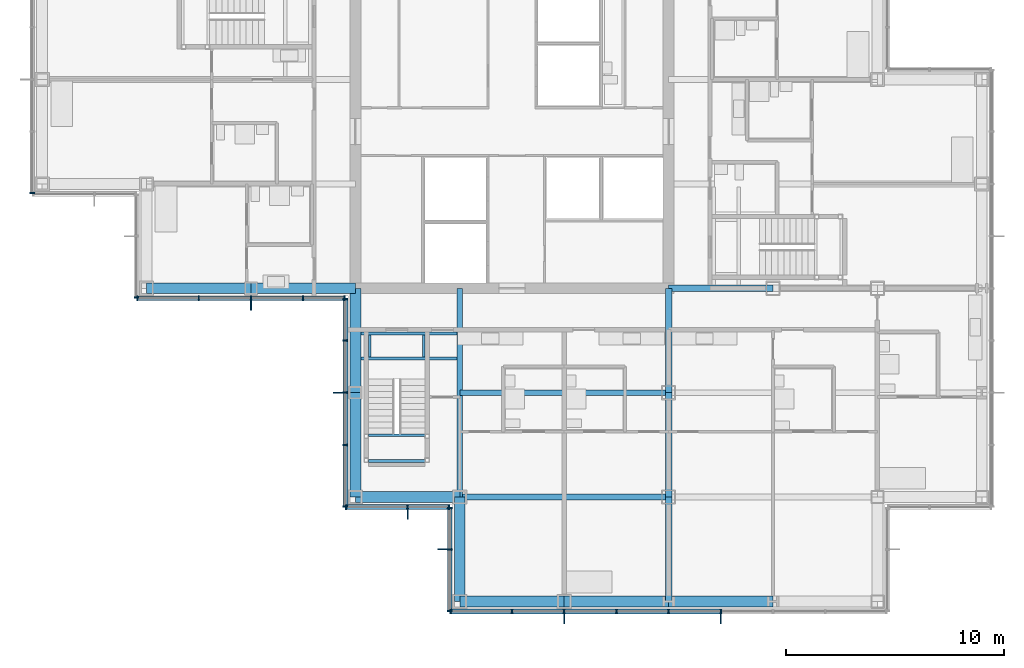
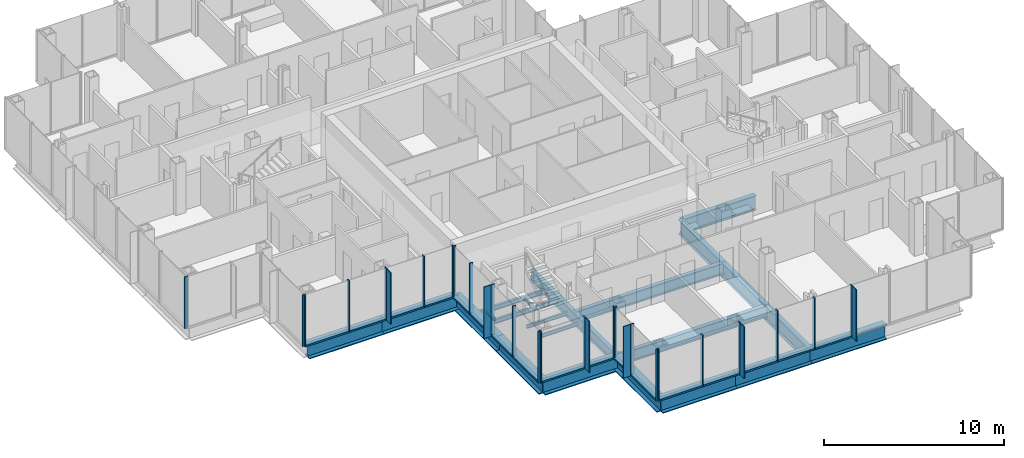
# One storey, part 6 of 19: 47 members, 22 beams, 7 elements without a shape of their own.
"""IFC4 building model written with IfcOpenShell, lengths in metres."""

from ifc_helpers import new_model, si_unit, direction, frame, origin, origin_2d, place, context, subcontext, project, spatial, rectangle, i_section, extrude, material, material_profile, profile_set, type_object, element, aggregate, save


model = new_model("IFC4")

# Units and contexts
model_context = context("Model", 3, precision=1e-05, world=origin(), true_north=direction((0.0, 1.0)))
body_context = subcontext(model_context, "Body", "Model", "MODEL_VIEW")
ifc_project = project(units=[si_unit("LENGTHUNIT", "METRE"), si_unit("AREAUNIT", "SQUARE_METRE"), si_unit("VOLUMEUNIT", "CUBIC_METRE"), si_unit("PLANEANGLEUNIT", "RADIAN"), si_unit("MASSUNIT", "GRAM", prefix="KILO")], contexts=[model_context])

# Site, building, storey
site_placement = place(None, origin())
site = spatial("IfcSite", under=ifc_project, at=site_placement, CompositionType="ELEMENT")
building_placement = place(site_placement, origin())
building = spatial("IfcBuilding", under=site, at=building_placement, Name="Kvirike Care Tower", CompositionType="ELEMENT")
storey_placement = place(building_placement, frame((0.0, 0.0, 98.0)))
storey = spatial("IfcBuildingStorey", under=building, at=storey_placement, Name="L26", CompositionType="ELEMENT", Elevation=98.0)

# Curtain wall, member
ifc_material_1 = material(Name="Anodised aluminium stick system", Category="aluminium")
curtain_wall_type = type_object("IfcCurtainWallType", Name="CW-B STICK CURTAIN WALL", PredefinedType="NOTDEFINED", material=ifc_material_1)
curtain_wall_1_placement = place(storey_placement, origin())
curtain_wall_1 = element("IfcCurtainWall", 1, at=curtain_wall_1_placement, inside=storey, type_object=curtain_wall_type, Name="Curtain wall L26 face 14", PredefinedType="NOTDEFINED")
ifc_material_2 = material(Name="Bronze anodised aluminium fin", Category="aluminium")
ifc_material_profile_1 = material_profile(ifc_material_2, rectangle(XDim=0.050048828125, YDim=0.449951171875, at=origin_2d()), Name="BRONZE FIN 450")
ifc_profile_set_1 = profile_set([ifc_material_profile_1], Name="Bronze anodised aluminium fin")
member_type_1 = type_object("IfcMemberType", Name="BRONZE FIN 450", PredefinedType="USERDEFINED", material=ifc_profile_set_1)
member_1_placement = place(storey_placement, frame((9.60009765625, 28.0048828125, 0.0), z_axis=(0.0, 0.0, 1.0), x_axis=(1.0, 0.0, 0.0)))
member_1 = element("IfcMember", 2, at=member_1_placement, type_object=member_type_1, Name="Bronze fin L26 face 14.3", ObjectType="FIN", PredefinedType="USERDEFINED", context=body_context, shape_type="SweptSolid", body=[
    extrude(rectangle(XDim=0.050048828125, YDim=0.449951171875, at=origin_2d()), origin(), (0.0, 0.0, 1.0), 3.5),
])

curtain_wall_2_placement = place(storey_placement, origin())
curtain_wall_2 = element("IfcCurtainWall", 3, at=curtain_wall_2_placement, inside=storey, type_object=curtain_wall_type, Name="Curtain wall L26 face 15", PredefinedType="NOTDEFINED")
member_2_placement = place(storey_placement, frame((13.60498046875, 24.0, 0.0), z_axis=(0.0, 0.0, 1.0), x_axis=(0.0, -1.0, 0.0)))
member_2 = element("IfcMember", 4, at=member_2_placement, type_object=member_type_1, Name="Bronze fin L26 face 15.3", ObjectType="FIN", PredefinedType="USERDEFINED", context=body_context, shape_type="SweptSolid", body=[
    extrude(rectangle(XDim=0.050048828125, YDim=0.449951171875, at=origin_2d()), origin(), (0.0, 0.0, 1.0), 3.5),
])

curtain_wall_3_placement = place(storey_placement, origin())
curtain_wall_3 = element("IfcCurtainWall", 5, at=curtain_wall_3_placement, inside=storey, type_object=curtain_wall_type, Name="Curtain wall L26 face 16", PredefinedType="NOTDEFINED")
member_3_placement = place(storey_placement, frame((16.800048828125, 18.405029296875, 0.0), z_axis=(0.0, 0.0, 1.0), x_axis=(1.0, 0.0, 0.0)))
member_3 = element("IfcMember", 6, at=member_3_placement, type_object=member_type_1, Name="Bronze fin L26 face 16.2", ObjectType="FIN", PredefinedType="USERDEFINED", context=body_context, shape_type="SweptSolid", body=[
    extrude(rectangle(XDim=0.050048828125, YDim=0.449951171875, at=origin_2d()), origin(), (0.0, 0.0, 1.0), 3.5),
])

curtain_wall_4_placement = place(storey_placement, origin())
curtain_wall_4 = element("IfcCurtainWall", 7, at=curtain_wall_4_placement, inside=storey, type_object=curtain_wall_type, Name="Curtain wall L26 face 17", PredefinedType="NOTDEFINED")
member_4_placement = place(storey_placement, frame((18.405029296875, 16.800048828125, 0.0), z_axis=(0.0, 0.0, 1.0), x_axis=(0.0, -1.0, 0.0)))
member_4 = element("IfcMember", 8, at=member_4_placement, type_object=member_type_1, Name="Bronze fin L26 face 17.2", ObjectType="FIN", PredefinedType="USERDEFINED", context=body_context, shape_type="SweptSolid", body=[
    extrude(rectangle(XDim=0.050048828125, YDim=0.449951171875, at=origin_2d()), origin(), (0.0, 0.0, 1.0), 3.5),
])

# Curtain wall, members
curtain_wall_5_placement = place(storey_placement, origin())
curtain_wall_5 = element("IfcCurtainWall", 9, at=curtain_wall_5_placement, inside=storey, type_object=curtain_wall_type, Name="Curtain wall L26 face 18", PredefinedType="NOTDEFINED")
member_5_placement = place(storey_placement, frame((24.0, 13.60498046875, 0.0), z_axis=(0.0, 0.0, 1.0), x_axis=(1.0, 0.0, 0.0)))
member_5 = element("IfcMember", 10, at=member_5_placement, type_object=member_type_1, Name="Bronze fin L26 face 18.3", ObjectType="FIN", PredefinedType="USERDEFINED", context=body_context, shape_type="SweptSolid", body=[
    extrude(rectangle(XDim=0.050048828125, YDim=0.449951171875, at=origin_2d()), origin(), (0.0, 0.0, 1.0), 3.5),
])
member_6_placement = place(storey_placement, frame((31.199951171875, 13.60498046875, 0.0), z_axis=(0.0, 0.0, 1.0), x_axis=(1.0, 0.0, 0.0)))
member_6 = element("IfcMember", 11, at=member_6_placement, type_object=member_type_1, Name="Bronze fin L26 face 18.6", ObjectType="FIN", PredefinedType="USERDEFINED", context=body_context, shape_type="SweptSolid", body=[
    extrude(rectangle(XDim=0.050048828125, YDim=0.449951171875, at=origin_2d()), origin(), (0.0, 0.0, 1.0), 3.5),
])

# Curtain wall, member
curtain_wall_6_placement = place(storey_placement, origin())
curtain_wall_6 = element("IfcCurtainWall", 12, at=curtain_wall_6_placement, inside=storey, type_object=curtain_wall_type, Name="Curtain wall L26 face 11", PredefinedType="NOTDEFINED")
ifc_material_3 = material(Name="Bronze anodised aluminium mullion", Category="aluminium")
ifc_material_profile_2 = material_profile(ifc_material_3, rectangle(XDim=0.06494140625, YDim=0.219970703125, at=origin_2d()), Name="CW-B MULLION 65x220")
ifc_profile_set_2 = profile_set([ifc_material_profile_2], Name="Bronze anodised aluminium mullion")
member_type_2 = type_object("IfcMemberType", Name="CW-B MULLION 65x220", PredefinedType="MULLION", material=ifc_profile_set_2)
member_7_placement = place(storey_placement, frame((-0.4599609375, 33.172607421875, 0.0), z_axis=(0.0, 0.0, 1.0), x_axis=(0.0, -1.0, 0.0)))
member_7 = element("IfcMember", 13, at=member_7_placement, type_object=member_type_2, Name="CW-B mullion L26 face 11.9", PredefinedType="MULLION", context=body_context, shape_type="SweptSolid", body=[
    extrude(rectangle(XDim=0.06494140625, YDim=0.219970703125, at=origin_2d()), origin(), (0.0, 0.0, 1.0), 3.5),
])
aggregate(curtain_wall_6, [member_7])

curtain_wall_7_placement = place(storey_placement, origin())
curtain_wall_7 = element("IfcCurtainWall", 14, at=curtain_wall_7_placement, inside=storey, type_object=curtain_wall_type, Name="Curtain wall L26 face 13", PredefinedType="NOTDEFINED")
member_8_placement = place(storey_placement, frame((4.340087890625, 28.37255859375, 0.0), z_axis=(0.0, 0.0, 1.0), x_axis=(0.0, -1.0, 0.0)))
member_8 = element("IfcMember", 15, at=member_8_placement, type_object=member_type_2, Name="CW-B mullion L26 face 13.3", PredefinedType="MULLION", context=body_context, shape_type="SweptSolid", body=[
    extrude(rectangle(XDim=0.06494140625, YDim=0.219970703125, at=origin_2d()), origin(), (0.0, 0.0, 1.0), 3.5),
])
aggregate(curtain_wall_7, [member_8])

# Member
member_9_placement = place(storey_placement, frame((4.37255859375, 28.340087890625, 0.0), z_axis=(0.0, 0.0, 1.0), x_axis=(1.0, 0.0, 0.0)))
member_9 = element("IfcMember", 16, at=member_9_placement, type_object=member_type_2, Name="CW-B mullion L26 face 14.1", PredefinedType="MULLION", context=body_context, shape_type="SweptSolid", body=[
    extrude(rectangle(XDim=0.06494140625, YDim=0.219970703125, at=origin_2d()), origin(), (0.0, 0.0, 1.0), 3.5),
])

member_10_placement = place(storey_placement, frame((7.199951171875, 28.340087890625, 0.0), z_axis=(0.0, 0.0, 1.0), x_axis=(1.0, 0.0, 0.0)))
member_10 = element("IfcMember", 17, at=member_10_placement, type_object=member_type_2, Name="CW-B mullion L26 face 14.2", PredefinedType="MULLION", context=body_context, shape_type="SweptSolid", body=[
    extrude(rectangle(XDim=0.06494140625, YDim=0.219970703125, at=origin_2d()), origin(), (0.0, 0.0, 1.0), 3.5),
])

member_11_placement = place(storey_placement, frame((9.60009765625, 28.340087890625, 0.0), z_axis=(0.0, 0.0, 1.0), x_axis=(1.0, 0.0, 0.0)))
member_11 = element("IfcMember", 18, at=member_11_placement, type_object=member_type_2, Name="CW-B mullion L26 face 14.3", PredefinedType="MULLION", context=body_context, shape_type="SweptSolid", body=[
    extrude(rectangle(XDim=0.06494140625, YDim=0.219970703125, at=origin_2d()), origin(), (0.0, 0.0, 1.0), 3.5),
])

member_12_placement = place(storey_placement, frame((12.0, 28.340087890625, 0.0), z_axis=(0.0, 0.0, 1.0), x_axis=(1.0, 0.0, 0.0)))
member_12 = element("IfcMember", 19, at=member_12_placement, type_object=member_type_2, Name="CW-B mullion L26 face 14.4", PredefinedType="MULLION", context=body_context, shape_type="SweptSolid", body=[
    extrude(rectangle(XDim=0.06494140625, YDim=0.219970703125, at=origin_2d()), origin(), (0.0, 0.0, 1.0), 3.5),
])

member_13_placement = place(storey_placement, frame((13.907470703125, 28.340087890625, 0.0), z_axis=(0.0, 0.0, 1.0), x_axis=(1.0, 0.0, 0.0)))
member_13 = element("IfcMember", 20, at=member_13_placement, type_object=member_type_2, Name="CW-B mullion L26 face 14.5", PredefinedType="MULLION", context=body_context, shape_type="SweptSolid", body=[
    extrude(rectangle(XDim=0.06494140625, YDim=0.219970703125, at=origin_2d()), origin(), (0.0, 0.0, 1.0), 3.5),
])

member_14_placement = place(storey_placement, frame((13.93994140625, 28.3076171875, 0.0), z_axis=(0.0, 0.0, 1.0), x_axis=(0.0, -1.0, 0.0)))
member_14 = element("IfcMember", 21, at=member_14_placement, type_object=member_type_2, Name="CW-B mullion L26 face 15.1", PredefinedType="MULLION", context=body_context, shape_type="SweptSolid", body=[
    extrude(rectangle(XDim=0.06494140625, YDim=0.219970703125, at=origin_2d()), origin(), (0.0, 0.0, 1.0), 3.5),
])

member_15_placement = place(storey_placement, frame((13.93994140625, 26.39990234375, 0.0), z_axis=(0.0, 0.0, 1.0), x_axis=(0.0, -1.0, 0.0)))
member_15 = element("IfcMember", 22, at=member_15_placement, type_object=member_type_2, Name="CW-B mullion L26 face 15.2", PredefinedType="MULLION", context=body_context, shape_type="SweptSolid", body=[
    extrude(rectangle(XDim=0.06494140625, YDim=0.219970703125, at=origin_2d()), origin(), (0.0, 0.0, 1.0), 3.5),
])

member_16_placement = place(storey_placement, frame((13.93994140625, 24.0, 0.0), z_axis=(0.0, 0.0, 1.0), x_axis=(0.0, -1.0, 0.0)))
member_16 = element("IfcMember", 23, at=member_16_placement, type_object=member_type_2, Name="CW-B mullion L26 face 15.3", PredefinedType="MULLION", context=body_context, shape_type="SweptSolid", body=[
    extrude(rectangle(XDim=0.06494140625, YDim=0.219970703125, at=origin_2d()), origin(), (0.0, 0.0, 1.0), 3.5),
])

member_17_placement = place(storey_placement, frame((13.93994140625, 21.60009765625, 0.0), z_axis=(0.0, 0.0, 1.0), x_axis=(0.0, -1.0, 0.0)))
member_17 = element("IfcMember", 24, at=member_17_placement, type_object=member_type_2, Name="CW-B mullion L26 face 15.4", PredefinedType="MULLION", context=body_context, shape_type="SweptSolid", body=[
    extrude(rectangle(XDim=0.06494140625, YDim=0.219970703125, at=origin_2d()), origin(), (0.0, 0.0, 1.0), 3.5),
])

member_18_placement = place(storey_placement, frame((13.93994140625, 18.7724609375, 0.0), z_axis=(0.0, 0.0, 1.0), x_axis=(0.0, -1.0, 0.0)))
member_18 = element("IfcMember", 25, at=member_18_placement, type_object=member_type_2, Name="CW-B mullion L26 face 15.5", PredefinedType="MULLION", context=body_context, shape_type="SweptSolid", body=[
    extrude(rectangle(XDim=0.06494140625, YDim=0.219970703125, at=origin_2d()), origin(), (0.0, 0.0, 1.0), 3.5),
])

member_19_placement = place(storey_placement, frame((13.972412109375, 18.739990234375, 0.0), z_axis=(0.0, 0.0, 1.0), x_axis=(1.0, 0.0, 0.0)))
member_19 = element("IfcMember", 26, at=member_19_placement, type_object=member_type_2, Name="CW-B mullion L26 face 16.1", PredefinedType="MULLION", context=body_context, shape_type="SweptSolid", body=[
    extrude(rectangle(XDim=0.06494140625, YDim=0.219970703125, at=origin_2d()), origin(), (0.0, 0.0, 1.0), 3.5),
])

member_20_placement = place(storey_placement, frame((16.800048828125, 18.739990234375, 0.0), z_axis=(0.0, 0.0, 1.0), x_axis=(1.0, 0.0, 0.0)))
member_20 = element("IfcMember", 27, at=member_20_placement, type_object=member_type_2, Name="CW-B mullion L26 face 16.2", PredefinedType="MULLION", context=body_context, shape_type="SweptSolid", body=[
    extrude(rectangle(XDim=0.06494140625, YDim=0.219970703125, at=origin_2d()), origin(), (0.0, 0.0, 1.0), 3.5),
])

member_21_placement = place(storey_placement, frame((18.70751953125, 18.739990234375, 0.0), z_axis=(0.0, 0.0, 1.0), x_axis=(1.0, 0.0, 0.0)))
member_21 = element("IfcMember", 28, at=member_21_placement, type_object=member_type_2, Name="CW-B mullion L26 face 16.3", PredefinedType="MULLION", context=body_context, shape_type="SweptSolid", body=[
    extrude(rectangle(XDim=0.06494140625, YDim=0.219970703125, at=origin_2d()), origin(), (0.0, 0.0, 1.0), 3.5),
])

member_22_placement = place(storey_placement, frame((18.739990234375, 18.70751953125, 0.0), z_axis=(0.0, 0.0, 1.0), x_axis=(0.0, -1.0, 0.0)))
member_22 = element("IfcMember", 29, at=member_22_placement, type_object=member_type_2, Name="CW-B mullion L26 face 17.1", PredefinedType="MULLION", context=body_context, shape_type="SweptSolid", body=[
    extrude(rectangle(XDim=0.06494140625, YDim=0.219970703125, at=origin_2d()), origin(), (0.0, 0.0, 1.0), 3.5),
])

member_23_placement = place(storey_placement, frame((18.739990234375, 16.800048828125, 0.0), z_axis=(0.0, 0.0, 1.0), x_axis=(0.0, -1.0, 0.0)))
member_23 = element("IfcMember", 30, at=member_23_placement, type_object=member_type_2, Name="CW-B mullion L26 face 17.2", PredefinedType="MULLION", context=body_context, shape_type="SweptSolid", body=[
    extrude(rectangle(XDim=0.06494140625, YDim=0.219970703125, at=origin_2d()), origin(), (0.0, 0.0, 1.0), 3.5),
])

member_24_placement = place(storey_placement, frame((18.739990234375, 13.972412109375, 0.0), z_axis=(0.0, 0.0, 1.0), x_axis=(0.0, -1.0, 0.0)))
member_24 = element("IfcMember", 31, at=member_24_placement, type_object=member_type_2, Name="CW-B mullion L26 face 17.3", PredefinedType="MULLION", context=body_context, shape_type="SweptSolid", body=[
    extrude(rectangle(XDim=0.06494140625, YDim=0.219970703125, at=origin_2d()), origin(), (0.0, 0.0, 1.0), 3.5),
])

member_25_placement = place(storey_placement, frame((18.7724609375, 13.93994140625, 0.0), z_axis=(0.0, 0.0, 1.0), x_axis=(1.0, 0.0, 0.0)))
member_25 = element("IfcMember", 32, at=member_25_placement, type_object=member_type_2, Name="CW-B mullion L26 face 18.1", PredefinedType="MULLION", context=body_context, shape_type="SweptSolid", body=[
    extrude(rectangle(XDim=0.06494140625, YDim=0.219970703125, at=origin_2d()), origin(), (0.0, 0.0, 1.0), 3.5),
])

member_26_placement = place(storey_placement, frame((21.60009765625, 13.93994140625, 0.0), z_axis=(0.0, 0.0, 1.0), x_axis=(1.0, 0.0, 0.0)))
member_26 = element("IfcMember", 33, at=member_26_placement, type_object=member_type_2, Name="CW-B mullion L26 face 18.2", PredefinedType="MULLION", context=body_context, shape_type="SweptSolid", body=[
    extrude(rectangle(XDim=0.06494140625, YDim=0.219970703125, at=origin_2d()), origin(), (0.0, 0.0, 1.0), 3.5),
])

member_27_placement = place(storey_placement, frame((24.0, 13.93994140625, 0.0), z_axis=(0.0, 0.0, 1.0), x_axis=(1.0, 0.0, 0.0)))
member_27 = element("IfcMember", 34, at=member_27_placement, type_object=member_type_2, Name="CW-B mullion L26 face 18.3", PredefinedType="MULLION", context=body_context, shape_type="SweptSolid", body=[
    extrude(rectangle(XDim=0.06494140625, YDim=0.219970703125, at=origin_2d()), origin(), (0.0, 0.0, 1.0), 3.5),
])

member_28_placement = place(storey_placement, frame((26.39990234375, 13.93994140625, 0.0), z_axis=(0.0, 0.0, 1.0), x_axis=(1.0, 0.0, 0.0)))
member_28 = element("IfcMember", 35, at=member_28_placement, type_object=member_type_2, Name="CW-B mullion L26 face 18.4", PredefinedType="MULLION", context=body_context, shape_type="SweptSolid", body=[
    extrude(rectangle(XDim=0.06494140625, YDim=0.219970703125, at=origin_2d()), origin(), (0.0, 0.0, 1.0), 3.5),
])

member_29_placement = place(storey_placement, frame((28.800048828125, 13.93994140625, 0.0), z_axis=(0.0, 0.0, 1.0), x_axis=(1.0, 0.0, 0.0)))
member_29 = element("IfcMember", 36, at=member_29_placement, type_object=member_type_2, Name="CW-B mullion L26 face 18.5", PredefinedType="MULLION", context=body_context, shape_type="SweptSolid", body=[
    extrude(rectangle(XDim=0.06494140625, YDim=0.219970703125, at=origin_2d()), origin(), (0.0, 0.0, 1.0), 3.5),
])

member_30_placement = place(storey_placement, frame((31.199951171875, 13.93994140625, 0.0), z_axis=(0.0, 0.0, 1.0), x_axis=(1.0, 0.0, 0.0)))
member_30 = element("IfcMember", 37, at=member_30_placement, type_object=member_type_2, Name="CW-B mullion L26 face 18.6", PredefinedType="MULLION", context=body_context, shape_type="SweptSolid", body=[
    extrude(rectangle(XDim=0.06494140625, YDim=0.219970703125, at=origin_2d()), origin(), (0.0, 0.0, 1.0), 3.5),
])

ifc_material_4 = material(Name="Bronze anodised aluminium transom", Category="aluminium")
ifc_material_profile_3 = material_profile(ifc_material_4, rectangle(XDim=0.219970703125, YDim=0.10009765625, at=origin_2d()), Name="CW-B TRANSOM 220x100")
ifc_profile_set_3 = profile_set([ifc_material_profile_3], Name="Bronze anodised aluminium transom")
member_type_3 = type_object("IfcMemberType", Name="CW-B TRANSOM 220x100", PredefinedType="USERDEFINED", material=ifc_profile_set_3)
member_31_placement = place(storey_placement, frame((4.405029296875, 28.340087890625, 0.050048828125), z_axis=(1.0, 0.0, 0.0), x_axis=(0.0, 1.0, 0.0)))
member_31 = element("IfcMember", 38, at=member_31_placement, type_object=member_type_3, Name="CW-B sill transom L26 face 14.1", ObjectType="TRANSOM", PredefinedType="USERDEFINED", context=body_context, shape_type="SweptSolid", body=[
    extrude(rectangle(XDim=0.219970703125, YDim=0.10009765625, at=origin_2d()), origin(), (0.0, 0.0, 1.0), 2.762451171875),
])

member_32_placement = place(storey_placement, frame((7.232421875, 28.340087890625, 0.050048828125), z_axis=(1.0, 0.0, 0.0), x_axis=(0.0, 1.0, 0.0)))
member_32 = element("IfcMember", 39, at=member_32_placement, type_object=member_type_3, Name="CW-B sill transom L26 face 14.2", ObjectType="TRANSOM", PredefinedType="USERDEFINED", context=body_context, shape_type="SweptSolid", body=[
    extrude(rectangle(XDim=0.219970703125, YDim=0.10009765625, at=origin_2d()), origin(), (0.0, 0.0, 1.0), 2.3349609375),
])

member_33_placement = place(storey_placement, frame((9.632568359375, 28.340087890625, 0.050048828125), z_axis=(1.0, 0.0, 0.0), x_axis=(0.0, 1.0, 0.0)))
member_33 = element("IfcMember", 40, at=member_33_placement, type_object=member_type_3, Name="CW-B sill transom L26 face 14.3", ObjectType="TRANSOM", PredefinedType="USERDEFINED", context=body_context, shape_type="SweptSolid", body=[
    extrude(rectangle(XDim=0.219970703125, YDim=0.10009765625, at=origin_2d()), origin(), (0.0, 0.0, 1.0), 2.3349609375),
])

member_34_placement = place(storey_placement, frame((12.032470703125, 28.340087890625, 0.050048828125), z_axis=(1.0, 0.0, 0.0), x_axis=(0.0, 1.0, 0.0)))
member_34 = element("IfcMember", 41, at=member_34_placement, type_object=member_type_3, Name="CW-B sill transom L26 face 14.4", ObjectType="TRANSOM", PredefinedType="USERDEFINED", context=body_context, shape_type="SweptSolid", body=[
    extrude(rectangle(XDim=0.219970703125, YDim=0.10009765625, at=origin_2d()), origin(), (0.0, 0.0, 1.0), 1.842529296875),
])

aggregate(curtain_wall_1, [member_9, member_10, member_11, member_1, member_12, member_13, member_31, member_32, member_33, member_34])

member_35_placement = place(storey_placement, frame((13.93994140625, 28.27490234375, 0.050048828125), z_axis=(0.0, -1.0, 0.0), x_axis=(1.0, 0.0, 0.0)))
member_35 = element("IfcMember", 42, at=member_35_placement, type_object=member_type_3, Name="CW-B sill transom L26 face 15.1", ObjectType="TRANSOM", PredefinedType="USERDEFINED", context=body_context, shape_type="SweptSolid", body=[
    extrude(rectangle(XDim=0.219970703125, YDim=0.10009765625, at=origin_2d()), origin(), (0.0, 0.0, 1.0), 1.84228515625),
])

member_36_placement = place(storey_placement, frame((13.93994140625, 26.367431640625, 0.050048828125), z_axis=(0.0, -1.0, 0.0), x_axis=(1.0, 0.0, 0.0)))
member_36 = element("IfcMember", 43, at=member_36_placement, type_object=member_type_3, Name="CW-B sill transom L26 face 15.2", ObjectType="TRANSOM", PredefinedType="USERDEFINED", context=body_context, shape_type="SweptSolid", body=[
    extrude(rectangle(XDim=0.219970703125, YDim=0.10009765625, at=origin_2d()), origin(), (0.0, 0.0, 1.0), 2.3349609375),
])

member_37_placement = place(storey_placement, frame((13.93994140625, 23.967529296875, 0.050048828125), z_axis=(0.0, -1.0, 0.0), x_axis=(1.0, 0.0, 0.0)))
member_37 = element("IfcMember", 44, at=member_37_placement, type_object=member_type_3, Name="CW-B sill transom L26 face 15.3", ObjectType="TRANSOM", PredefinedType="USERDEFINED", context=body_context, shape_type="SweptSolid", body=[
    extrude(rectangle(XDim=0.219970703125, YDim=0.10009765625, at=origin_2d()), origin(), (0.0, 0.0, 1.0), 2.3349609375),
])

member_38_placement = place(storey_placement, frame((13.93994140625, 21.5673828125, 0.050048828125), z_axis=(0.0, -1.0, 0.0), x_axis=(1.0, 0.0, 0.0)))
member_38 = element("IfcMember", 45, at=member_38_placement, type_object=member_type_3, Name="CW-B sill transom L26 face 15.4", ObjectType="TRANSOM", PredefinedType="USERDEFINED", context=body_context, shape_type="SweptSolid", body=[
    extrude(rectangle(XDim=0.219970703125, YDim=0.10009765625, at=origin_2d()), origin(), (0.0, 0.0, 1.0), 2.762451171875),
])

aggregate(curtain_wall_2, [member_14, member_15, member_16, member_2, member_17, member_18, member_35, member_36, member_37, member_38])

member_39_placement = place(storey_placement, frame((14.0048828125, 18.739990234375, 0.050048828125), z_axis=(1.0, 0.0, 0.0), x_axis=(0.0, 1.0, 0.0)))
member_39 = element("IfcMember", 46, at=member_39_placement, type_object=member_type_3, Name="CW-B sill transom L26 face 16.1", ObjectType="TRANSOM", PredefinedType="USERDEFINED", context=body_context, shape_type="SweptSolid", body=[
    extrude(rectangle(XDim=0.219970703125, YDim=0.10009765625, at=origin_2d()), origin(), (0.0, 0.0, 1.0), 2.7626953125),
])

member_40_placement = place(storey_placement, frame((16.83251953125, 18.739990234375, 0.050048828125), z_axis=(1.0, 0.0, 0.0), x_axis=(0.0, 1.0, 0.0)))
member_40 = element("IfcMember", 47, at=member_40_placement, type_object=member_type_3, Name="CW-B sill transom L26 face 16.2", ObjectType="TRANSOM", PredefinedType="USERDEFINED", context=body_context, shape_type="SweptSolid", body=[
    extrude(rectangle(XDim=0.219970703125, YDim=0.10009765625, at=origin_2d()), origin(), (0.0, 0.0, 1.0), 1.842529296875),
])

aggregate(curtain_wall_3, [member_19, member_20, member_3, member_21, member_39, member_40])

member_41_placement = place(storey_placement, frame((18.739990234375, 18.675048828125, 0.050048828125), z_axis=(0.0, -1.0, 0.0), x_axis=(1.0, 0.0, 0.0)))
member_41 = element("IfcMember", 48, at=member_41_placement, type_object=member_type_3, Name="CW-B sill transom L26 face 17.1", ObjectType="TRANSOM", PredefinedType="USERDEFINED", context=body_context, shape_type="SweptSolid", body=[
    extrude(rectangle(XDim=0.219970703125, YDim=0.10009765625, at=origin_2d()), origin(), (0.0, 0.0, 1.0), 1.842529296875),
])

member_42_placement = place(storey_placement, frame((18.739990234375, 16.767578125, 0.050048828125), z_axis=(0.0, -1.0, 0.0), x_axis=(1.0, 0.0, 0.0)))
member_42 = element("IfcMember", 49, at=member_42_placement, type_object=member_type_3, Name="CW-B sill transom L26 face 17.2", ObjectType="TRANSOM", PredefinedType="USERDEFINED", context=body_context, shape_type="SweptSolid", body=[
    extrude(rectangle(XDim=0.219970703125, YDim=0.10009765625, at=origin_2d()), origin(), (0.0, 0.0, 1.0), 2.7626953125),
])

aggregate(curtain_wall_4, [member_22, member_23, member_4, member_24, member_41, member_42])

member_43_placement = place(storey_placement, frame((18.804931640625, 13.93994140625, 0.050048828125), z_axis=(1.0, 0.0, 0.0), x_axis=(0.0, 1.0, 0.0)))
member_43 = element("IfcMember", 50, at=member_43_placement, type_object=member_type_3, Name="CW-B sill transom L26 face 18.1", ObjectType="TRANSOM", PredefinedType="USERDEFINED", context=body_context, shape_type="SweptSolid", body=[
    extrude(rectangle(XDim=0.219970703125, YDim=0.10009765625, at=origin_2d()), origin(), (0.0, 0.0, 1.0), 2.762451171875),
])

member_44_placement = place(storey_placement, frame((21.632568359375, 13.93994140625, 0.050048828125), z_axis=(1.0, 0.0, 0.0), x_axis=(0.0, 1.0, 0.0)))
member_44 = element("IfcMember", 51, at=member_44_placement, type_object=member_type_3, Name="CW-B sill transom L26 face 18.2", ObjectType="TRANSOM", PredefinedType="USERDEFINED", context=body_context, shape_type="SweptSolid", body=[
    extrude(rectangle(XDim=0.219970703125, YDim=0.10009765625, at=origin_2d()), origin(), (0.0, 0.0, 1.0), 2.3349609375),
])

member_45_placement = place(storey_placement, frame((24.032470703125, 13.93994140625, 0.050048828125), z_axis=(1.0, 0.0, 0.0), x_axis=(0.0, 1.0, 0.0)))
member_45 = element("IfcMember", 52, at=member_45_placement, type_object=member_type_3, Name="CW-B sill transom L26 face 18.3", ObjectType="TRANSOM", PredefinedType="USERDEFINED", context=body_context, shape_type="SweptSolid", body=[
    extrude(rectangle(XDim=0.219970703125, YDim=0.10009765625, at=origin_2d()), origin(), (0.0, 0.0, 1.0), 2.3349609375),
])

member_46_placement = place(storey_placement, frame((26.4326171875, 13.93994140625, 0.050048828125), z_axis=(1.0, 0.0, 0.0), x_axis=(0.0, 1.0, 0.0)))
member_46 = element("IfcMember", 53, at=member_46_placement, type_object=member_type_3, Name="CW-B sill transom L26 face 18.4", ObjectType="TRANSOM", PredefinedType="USERDEFINED", context=body_context, shape_type="SweptSolid", body=[
    extrude(rectangle(XDim=0.219970703125, YDim=0.10009765625, at=origin_2d()), origin(), (0.0, 0.0, 1.0), 2.3349609375),
])

member_47_placement = place(storey_placement, frame((28.83251953125, 13.93994140625, 0.050048828125), z_axis=(1.0, 0.0, 0.0), x_axis=(0.0, 1.0, 0.0)))
member_47 = element("IfcMember", 54, at=member_47_placement, type_object=member_type_3, Name="CW-B sill transom L26 face 18.5", ObjectType="TRANSOM", PredefinedType="USERDEFINED", context=body_context, shape_type="SweptSolid", body=[
    extrude(rectangle(XDim=0.219970703125, YDim=0.10009765625, at=origin_2d()), origin(), (0.0, 0.0, 1.0), 2.3349609375),
])

aggregate(curtain_wall_5, [member_25, member_26, member_27, member_5, member_28, member_29, member_30, member_6, member_43, member_44, member_45, member_46, member_47])

# Beams
ifc_material_5 = material(Name="Steel S355", Category="steel")
ifc_material_profile_4 = material_profile(ifc_material_5, i_section(OverallWidth=0.26806640625, OverallDepth=0.77001953125, WebThickness=0.015625, FlangeThickness=0.025390625, FilletRadius=0.01708984375, at=origin_2d()), Name="IPE 750x196")
ifc_profile_set_4 = profile_set([ifc_material_profile_4], Name="Steel S355")
beam_type_1 = type_object("IfcBeamType", Name="FLOOR BEAM IPE 750x196", PredefinedType="BEAM", material=ifc_profile_set_4)
for number, where, z_axis, x_axis, name in (
    (55, (19.199951171875, 19.199951171875, -0.554931640625), (1.0, 0.0, 0.0), (0.0, 1.0, 0.0), "Floor Beam E7-E9 L26"),
    (56, (19.199951171875, 24.0, -0.554931640625), (1.0, 0.0, 0.0), (0.0, 1.0, 0.0), "Floor Beam F7-F9 L26"),
    (57, (19.199951171875, 19.199951171875, -0.554931640625), (0.0, 1.0, 0.0), (-1.0, 0.0, 0.0), "Floor Beam E7-G7 L26"),
):
    element("IfcBeam", number, at=place(storey_placement, frame(where, z_axis=z_axis, x_axis=x_axis)), inside=storey, type_object=beam_type_1, Name=name, PredefinedType="BEAM", context=body_context, shape_type="SweptSolid", body=[
        extrude(i_section(OverallWidth=0.26806640625, OverallDepth=0.77001953125, WebThickness=0.015625, FlangeThickness=0.025390625, FilletRadius=0.01708984375, at=origin_2d()), origin(), (0.0, 0.0, 1.0), 9.60009765625),
    ])
ifc_material_6 = material(Name="Steel S355", Category="steel")
ifc_material_profile_5 = material_profile(ifc_material_6, i_section(OverallWidth=0.300048828125, OverallDepth=1.0, WebThickness=0.01904296875, FlangeThickness=0.035888671875, FilletRadius=0.030029296875, at=origin_2d()), Name="HE 1000 B")
ifc_profile_set_5 = profile_set([ifc_material_profile_5], Name="Steel S355")
beam_type_2 = type_object("IfcBeamType", Name="FRAME BEAM HE 1000 B", PredefinedType="BEAM", material=ifc_profile_set_5)
for number, where, z_axis, x_axis, name in (
    (58, (28.800048828125, 28.800048828125, -0.669921875), (1.0, 0.0, 0.0), (0.0, 1.0, 0.0), "Frame Beam G9-G10 L26"),
    (59, (28.800048828125, 14.39990234375, -0.669921875), (0.0, 1.0, 0.0), (-1.0, 0.0, 0.0), "Frame Beam D9-E9 L26"),
    (60, (28.800048828125, 19.199951171875, -0.669921875), (0.0, 1.0, 0.0), (-1.0, 0.0, 0.0), "Frame Beam E9-F9 L26"),
    (61, (28.800048828125, 24.0, -0.669921875), (0.0, 1.0, 0.0), (-1.0, 0.0, 0.0), "Frame Beam F9-G9 L26"),
):
    element("IfcBeam", number, at=place(storey_placement, frame(where, z_axis=z_axis, x_axis=x_axis)), inside=storey, type_object=beam_type_2, Name=name, PredefinedType="BEAM", context=body_context, shape_type="SweptSolid", body=[
        extrude(i_section(OverallWidth=0.300048828125, OverallDepth=1.0, WebThickness=0.01904296875, FlangeThickness=0.035888671875, FilletRadius=0.030029296875, at=origin_2d()), origin(), (0.0, 0.0, 1.0), 4.800048828125),
    ])
ifc_material_7 = material(Name="Steel S355", Category="steel")
ifc_material_profile_6 = material_profile(ifc_material_7, i_section(OverallWidth=0.5, OverallDepth=1.0, WebThickness=0.030029296875, FlangeThickness=0.06005859375, at=origin_2d()), Name="PG 1000x500x30x60")
ifc_profile_set_6 = profile_set([ifc_material_profile_6], Name="Steel S355")
beam_type_3 = type_object("IfcBeamType", Name="SPANDREL PG 1000x500x30x60", PredefinedType="SPANDREL", material=ifc_profile_set_6)
for number, where, z_axis, x_axis, name in (
    (62, (19.199951171875, 14.39990234375, -0.669921875), (1.0, 0.0, 0.0), (0.0, 1.0, 0.0), "Spandrel D7-D8 L26"),
    (63, (24.0, 14.39990234375, -0.669921875), (1.0, 0.0, 0.0), (0.0, 1.0, 0.0), "Spandrel D8-D9 L26"),
    (64, (28.800048828125, 14.39990234375, -0.669921875), (1.0, 0.0, 0.0), (0.0, 1.0, 0.0), "Spandrel D9-D10 L26"),
    (65, (14.39990234375, 19.199951171875, -0.669921875), (1.0, 0.0, 0.0), (0.0, 1.0, 0.0), "Spandrel E6-E7 L26"),
    (66, (4.800048828125, 28.800048828125, -0.669921875), (1.0, 0.0, 0.0), (0.0, 1.0, 0.0), "Spandrel G4-G5 L26"),
):
    element("IfcBeam", number, at=place(storey_placement, frame(where, z_axis=z_axis, x_axis=x_axis)), inside=storey, type_object=beam_type_3, Name=name, PredefinedType="SPANDREL", context=body_context, shape_type="SweptSolid", body=[
        extrude(i_section(OverallWidth=0.5, OverallDepth=1.0, WebThickness=0.030029296875, FlangeThickness=0.06005859375, at=origin_2d()), origin(), (0.0, 0.0, 1.0), 4.800048828125),
    ])
beam_placement = place(storey_placement, frame((9.60009765625, 28.800048828125, -0.669921875), z_axis=(1.0, 0.0, 0.0), x_axis=(0.0, 1.0, 0.0)))
element("IfcBeam", 67, at=beam_placement, inside=storey, type_object=beam_type_3, Name="Spandrel G5-G6 L26", PredefinedType="SPANDREL", context=body_context, shape_type="SweptSolid", body=[
    extrude(i_section(OverallWidth=0.5, OverallDepth=1.0, WebThickness=0.030029296875, FlangeThickness=0.06005859375, at=origin_2d()), origin(), (0.0, 0.0, 1.0), 4.7998046875),
])
for number, where, z_axis, x_axis, name in (
    (68, (14.39990234375, 19.199951171875, -0.669921875), (0.0, 1.0, 0.0), (-1.0, 0.0, 0.0), "Spandrel E6-F6 L26"),
    (69, (14.39990234375, 24.0, -0.669921875), (0.0, 1.0, 0.0), (-1.0, 0.0, 0.0), "Spandrel F6-G6 L26"),
    (70, (19.199951171875, 14.39990234375, -0.669921875), (0.0, 1.0, 0.0), (-1.0, 0.0, 0.0), "Spandrel D7-E7 L26"),
):
    element("IfcBeam", number, at=place(storey_placement, frame(where, z_axis=z_axis, x_axis=x_axis)), inside=storey, type_object=beam_type_3, Name=name, PredefinedType="SPANDREL", context=body_context, shape_type="SweptSolid", body=[
        extrude(i_section(OverallWidth=0.5, OverallDepth=1.0, WebThickness=0.030029296875, FlangeThickness=0.06005859375, at=origin_2d()), origin(), (0.0, 0.0, 1.0), 4.800048828125),
    ])
ifc_material_8 = material(Name="Steel S355", Category="steel")
ifc_material_profile_7 = material_profile(ifc_material_8, i_section(OverallWidth=0.1201171875, OverallDepth=0.239990234375, WebThickness=0.006103515625, FlangeThickness=0.009765625, FilletRadius=0.014892578125, at=origin_2d()), Name="IPE 240")
ifc_profile_set_7 = profile_set([ifc_material_profile_7], Name="Steel S355")
beam_type_4 = type_object("IfcBeamType", Name="STAIR LANDING BEAM IPE 240", PredefinedType="BEAM", material=ifc_profile_set_7)
for number, where, z_axis, x_axis, name in (
    (71, (15.0, 20.860107421875, 1.429931640625), (1.0, 0.0, 0.0), (0.0, 1.0, 0.0), "Stair 5 landing beam back L26"),
    (72, (15.0, 22.0400390625, 1.429931640625), (1.0, 0.0, 0.0), (0.0, 1.0, 0.0), "Stair 5 landing beam front L26"),
):
    element("IfcBeam", number, at=place(storey_placement, frame(where, z_axis=z_axis, x_axis=x_axis)), inside=storey, type_object=beam_type_4, Name=name, PredefinedType="BEAM", context=body_context, shape_type="SweptSolid", body=[
        extrude(i_section(OverallWidth=0.1201171875, OverallDepth=0.239990234375, WebThickness=0.006103515625, FlangeThickness=0.009765625, FilletRadius=0.014892578125, at=origin_2d()), origin(), (0.0, 0.0, 1.0), 2.60009765625),
    ])
for number, where, z_axis, x_axis, name in (
    (73, (15.06005859375, 25.64990234375, -0.320068359375), (0.0, 1.0, 0.0), (-1.0, 0.0, 0.0), "Stair 5 landing edge beam 1 L26"),
    (74, (17.5400390625, 25.64990234375, -0.320068359375), (0.0, 1.0, 0.0), (-1.0, 0.0, 0.0), "Stair 5 landing edge beam 2 L26"),
):
    element("IfcBeam", number, at=place(storey_placement, frame(where, z_axis=z_axis, x_axis=x_axis)), inside=storey, type_object=beam_type_4, Name=name, PredefinedType="BEAM", context=body_context, shape_type="SweptSolid", body=[
        extrude(i_section(OverallWidth=0.1201171875, OverallDepth=0.239990234375, WebThickness=0.006103515625, FlangeThickness=0.009765625, FilletRadius=0.014892578125, at=origin_2d()), origin(), (0.0, 0.0, 1.0), 1.0),
    ])
ifc_material_9 = material(Name="Steel S355", Category="steel")
ifc_material_profile_8 = material_profile(ifc_material_9, i_section(OverallWidth=0.14990234375, OverallDepth=0.300048828125, WebThickness=0.007080078125, FlangeThickness=0.0107421875, FilletRadius=0.014892578125, at=origin_2d()), Name="IPE 300")
ifc_profile_set_8 = profile_set([ifc_material_profile_8], Name="Steel S355")
beam_type_5 = type_object("IfcBeamType", Name="STAIR TRIMMER IPE 300", PredefinedType="BEAM", material=ifc_profile_set_8)
for number, where, z_axis, x_axis, name in (
    (75, (14.64990234375, 25.574951171875, -0.35009765625), (1.0, 0.0, 0.0), (0.0, 1.0, 0.0), "Stair 5 trimmer 1 L26"),
    (76, (14.64990234375, 26.72509765625, -0.35009765625), (1.0, 0.0, 0.0), (0.0, 1.0, 0.0), "Stair 5 trimmer 2 L26"),
):
    element("IfcBeam", number, at=place(storey_placement, frame(where, z_axis=z_axis, x_axis=x_axis)), inside=storey, type_object=beam_type_5, Name=name, PredefinedType="BEAM", context=body_context, shape_type="SweptSolid", body=[
        extrude(i_section(OverallWidth=0.14990234375, OverallDepth=0.300048828125, WebThickness=0.007080078125, FlangeThickness=0.0107421875, FilletRadius=0.014892578125, at=origin_2d()), origin(), (0.0, 0.0, 1.0), 4.416015625),
    ])

save(model, "model.ifc")
